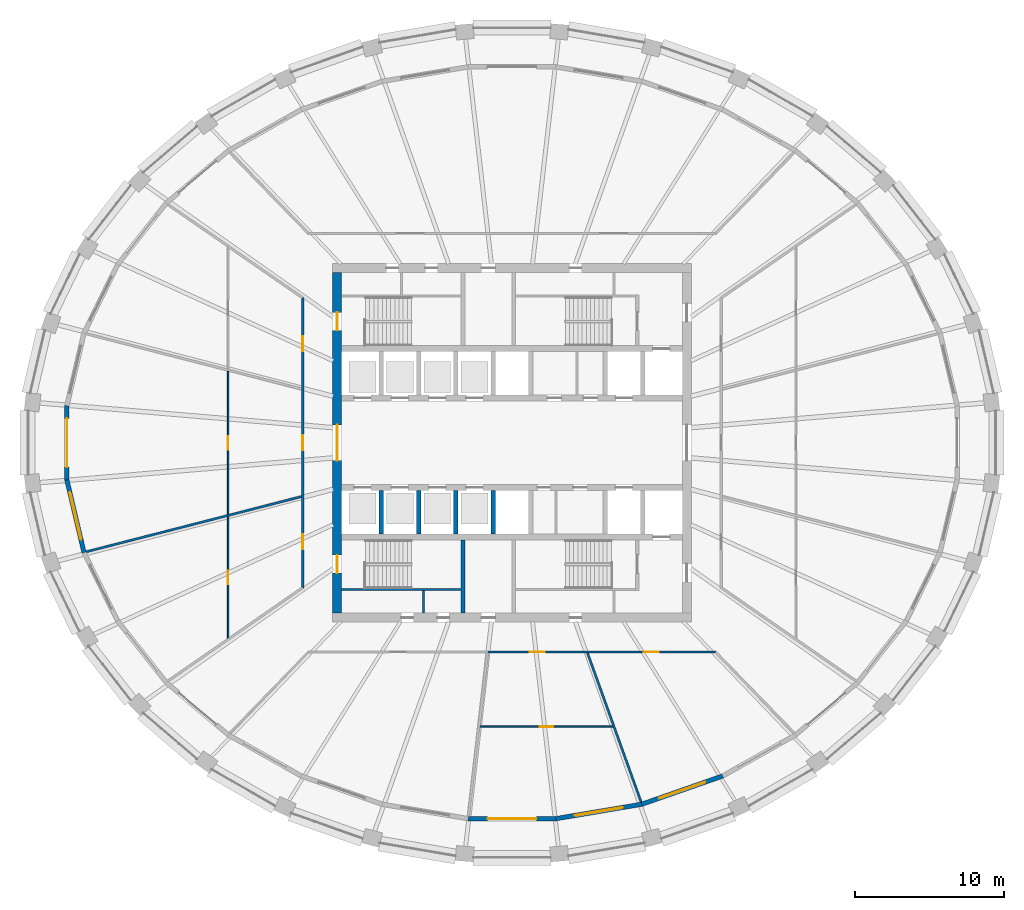
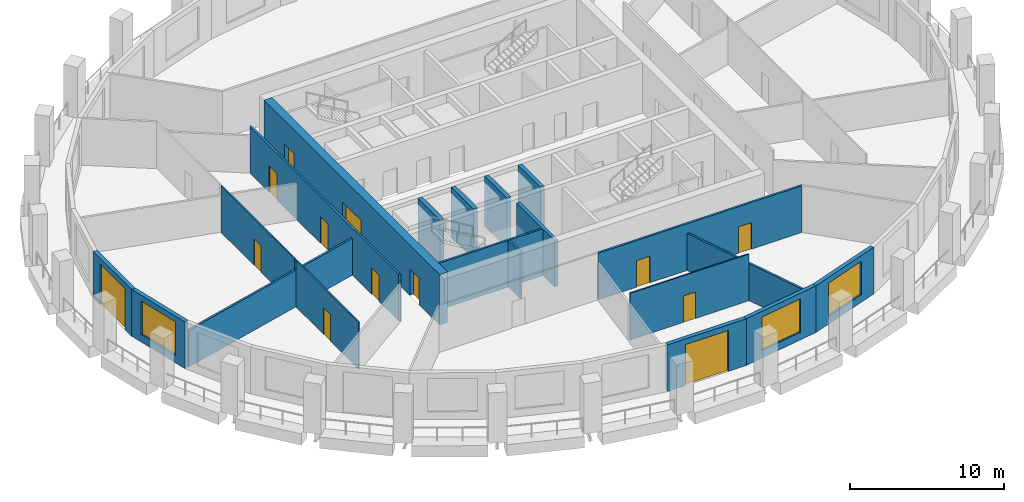
# One storey, part 3 of 10: 20 walls, 13 doors, 3 windows, 16 openings.
"""IFC4 building model written with IfcOpenShell, lengths in metres."""

from ifc_helpers import new_model, si_unit, direction, frame, frame_2d, origin, place, context, subcontext, project, spatial, polyline, rectangle, outline, extrude, material, layer, layer_set, type_object, element, fill, save


model = new_model("IFC4")

# Units and contexts
model_context = context("Model", 3, precision=1e-05, world=origin(), true_north=direction((0.0, 1.0)))
body_context = subcontext(model_context, "Body", "Model", "MODEL_VIEW")
ifc_project = project(units=[si_unit("LENGTHUNIT", "METRE"), si_unit("AREAUNIT", "SQUARE_METRE"), si_unit("VOLUMEUNIT", "CUBIC_METRE"), si_unit("PLANEANGLEUNIT", "RADIAN"), si_unit("MASSUNIT", "GRAM", prefix="KILO")], contexts=[model_context])

# Site, building, storey
site_placement = place(None, origin())
site = spatial("IfcSite", under=ifc_project, at=site_placement, CompositionType="ELEMENT")
building_placement = place(site_placement, origin())
building = spatial("IfcBuilding", under=site, at=building_placement, Name="Halqa Exchange Tower", CompositionType="ELEMENT")
storey_placement = place(building_placement, frame((0.0, 0.0, 198.89990234375)))
storey = spatial("IfcBuildingStorey", under=building, at=storey_placement, Name="L45", CompositionType="ELEMENT", Elevation=198.89990234375)

# Wall
ifc_material_1 = material(Name="Fire-rated gypsum board")
ifc_layer_1 = layer(ifc_material_1, 0.14990234375)
ifc_layer_set_1 = layer_set([ifc_layer_1], Name="Fire-rated gypsum board")
wall_type_1 = type_object("IfcWallType", Name="Fire partition EI 60 150", PredefinedType="PARTITIONING", material=ifc_layer_set_1)
wall_1_placement = place(storey_placement, frame((-28.494384765625, -7.294189453125, 0.0), z_axis=(0.0, 0.0, 1.0), x_axis=(0.96870063855, 0.248231893342, 0.0)))
element("IfcWall", 1, at=wall_1_placement, inside=storey, type_object=wall_type_1, Name="L45-PWL-001", PredefinedType="PARTITIONING", context=body_context, shape_type="SweptSolid", body=[
    extrude(outline(polyline([(0.013916015625, -0.074951171875), (1.957275390625, -0.074951171875), (3.900634765625, -0.074951171875), (5.84375, -0.074951171875), (7.787109375, -0.074951171875), (9.730224609375, -0.074951171875), (9.730712890625, -0.073486328125), (9.736083984375, -0.074951171875), (11.446044921875, -0.074951171875), (13.156005859375, -0.074951171875), (14.865966796875, -0.074951171875), (14.904296875, 0.07421875), (14.904296875, 0.074951171875), (13.226806640625, 0.074951171875), (11.54931640625, 0.074951171875), (9.8720703125, 0.074951171875), (9.87158203125, 0.073486328125), (9.8662109375, 0.074951171875), (7.892822265625, 0.074951171875), (5.919677734375, 0.074951171875), (3.946533203125, 0.074951171875), (1.97314453125, 0.074951171875), (0.0, 0.074951171875), (0.0, -0.0078125), (0.013916015625, -0.074951171875)])), origin(), (0.0, 0.0, 1.0), 2.900146484375),
])

# Wall, openings, doors
wall_2_placement = place(storey_placement, frame((-14.0, -9.729248046875, 0.0), z_axis=(0.0, 0.0, 1.0), x_axis=(0.0, 1.0, 0.0)))
wall_2 = element("IfcWall", 2, at=wall_2_placement, inside=storey, type_object=wall_type_1, Name="L45-PWL-011", PredefinedType="PARTITIONING", context=body_context, shape_type="SweptSolid", body=[
    extrude(outline(polyline([(19.45849609375, -0.074951171875), (19.45849609375, -0.074951171875), (19.3798828125, 0.074951171875), (17.44970703125, 0.074951171875), (15.519775390625, 0.074951171875), (13.589599609375, 0.074951171875), (11.659423828125, 0.074951171875), (9.729248046875, 0.074951171875), (7.799072265625, 0.074951171875), (5.868896484375, 0.074951171875), (3.938720703125, 0.074951171875), (2.008544921875, 0.074951171875), (0.07861328125, 0.074951171875), (0.0, -0.074951171875), (0.0, -0.074951171875), (1.94580078125, -0.074951171875), (3.8916015625, -0.074951171875), (5.837646484375, -0.074951171875), (7.783447265625, -0.074951171875), (9.729248046875, -0.074951171875), (11.675048828125, -0.074951171875), (13.620849609375, -0.074951171875), (15.56689453125, -0.074951171875), (17.5126953125, -0.074951171875), (19.45849609375, -0.074951171875)])), origin(), (0.0, 0.0, 1.0), 3.7001953125),
])
opening_1_placement = place(wall_2_placement, frame((15.8642578125, 0.0, 0.0)))
opening_1 = element("IfcOpeningElement", 3, at=opening_1_placement, cuts=wall_2, Name="Opening 13-03", PredefinedType="OPENING", context=body_context, shape_type="SweptSolid", body=[
    extrude(rectangle(XDim=1.0, YDim=2.10009765625, at=frame_2d((0.5, 1.050048828125))), frame((0.0, 0.0869140625, 0.0), z_axis=(0.0, -1.0, 0.0), x_axis=(1.0, 0.0, 0.0)), (0.0, 0.0, 1.0), 0.173828125),
])
opening_2_placement = place(wall_2_placement, frame((9.229248046875, 0.0, 0.0)))
opening_2 = element("IfcOpeningElement", 4, at=opening_2_placement, cuts=wall_2, Name="Opening 13-04", PredefinedType="OPENING", context=body_context, shape_type="SweptSolid", body=[
    extrude(rectangle(XDim=1.0, YDim=2.10009765625, at=frame_2d((0.5, 1.050048828125))), frame((0.0, 0.0869140625, 0.0), z_axis=(0.0, -1.0, 0.0), x_axis=(1.0, 0.0, 0.0)), (0.0, 0.0, 1.0), 0.173828125),
])
opening_3_placement = place(wall_2_placement, frame((2.59423828125, 0.0, 0.0)))
opening_3 = element("IfcOpeningElement", 5, at=opening_3_placement, cuts=wall_2, Name="Opening 13-05", PredefinedType="OPENING", context=body_context, shape_type="SweptSolid", body=[
    extrude(rectangle(XDim=1.0, YDim=2.10009765625, at=frame_2d((0.5, 1.050048828125))), frame((0.0, 0.0869140625, 0.0), z_axis=(0.0, -1.0, 0.0), x_axis=(1.0, 0.0, 0.0)), (0.0, 0.0, 1.0), 0.173828125),
])
ifc_material_2 = material(Name="Steel fire door leaf", Category="steel")
door_type_1 = type_object("IfcDoorType", Name="Fire door FD30S 1000 x 2100", OperationType="SINGLE_SWING_LEFT", PredefinedType="DOOR", material=ifc_material_2)
door_1_placement = place(opening_1_placement, origin())
door_1 = element("IfcDoor", 6, at=door_1_placement, inside=storey, type_object=door_type_1, Name="L45-IDR-003", OperationType="SINGLE_SWING_RIGHT", OverallHeight=2.10009765625, OverallWidth=1.0, PredefinedType="DOOR", context=body_context, shape_type="SweptSolid", body=[
    extrude(rectangle(XDim=1.0, YDim=2.10009765625, at=frame_2d((0.5, 1.050048828125))), frame((0.0, 0.02490234375, 0.0), z_axis=(0.0, -1.0, 0.0), x_axis=(1.0, 0.0, 0.0)), (0.0, 0.0, 1.0), 0.050048828125),
])
fill(opening_1, door_1)
door_2_placement = place(opening_2_placement, origin())
door_2 = element("IfcDoor", 7, at=door_2_placement, inside=storey, type_object=door_type_1, Name="L45-IDR-004", OperationType="SINGLE_SWING_LEFT", OverallHeight=2.10009765625, OverallWidth=1.0, PredefinedType="DOOR", context=body_context, shape_type="SweptSolid", body=[
    extrude(rectangle(XDim=1.0, YDim=2.10009765625, at=frame_2d((0.5, 1.050048828125))), frame((0.0, 0.02490234375, 0.0), z_axis=(0.0, -1.0, 0.0), x_axis=(1.0, 0.0, 0.0)), (0.0, 0.0, 1.0), 0.050048828125),
])
fill(opening_2, door_2)
door_3_placement = place(opening_3_placement, origin())
door_3 = element("IfcDoor", 8, at=door_3_placement, inside=storey, type_object=door_type_1, Name="L45-IDR-005", OperationType="SINGLE_SWING_LEFT", OverallHeight=2.10009765625, OverallWidth=1.0, PredefinedType="DOOR", context=body_context, shape_type="SweptSolid", body=[
    extrude(rectangle(XDim=1.0, YDim=2.10009765625, at=frame_2d((0.5, 1.050048828125))), frame((0.0, 0.02490234375, 0.0), z_axis=(0.0, -1.0, 0.0), x_axis=(1.0, 0.0, 0.0)), (0.0, 0.0, 1.0), 0.050048828125),
])
fill(opening_3, door_3)

wall_3_placement = place(storey_placement, frame((-1.6298828125, -14.0, 0.0), z_axis=(0.0, 0.0, 1.0), x_axis=(1.0, 0.0, 0.0)))
wall_3 = element("IfcWall", 9, at=wall_3_placement, inside=storey, type_object=wall_type_1, Name="L45-PWL-016", PredefinedType="PARTITIONING", context=body_context, shape_type="SweptSolid", body=[
    extrude(outline(polyline([(0.0, -0.074951171875), (1.90234375, -0.074951171875), (3.804443359375, -0.074951171875), (5.706787109375, -0.074951171875), (7.609130859375, -0.074951171875), (9.511474609375, -0.074951171875), (11.41357421875, -0.074951171875), (13.31591796875, -0.074951171875), (15.21826171875, -0.074951171875), (15.281494140625, 0.07470703125), (15.281494140625, 0.074951171875), (13.371337890625, 0.074951171875), (11.461181640625, 0.074951171875), (9.551025390625, 0.074951171875), (7.640625, 0.074951171875), (5.73046875, 0.074951171875), (3.8203125, 0.074951171875), (1.91015625, 0.074951171875), (0.0, 0.074951171875), (0.0, -0.074951171875)])), origin(), (0.0, 0.0, 1.0), 3.7001953125),
])
opening_4_placement = place(wall_3_placement, frame((2.830078125, 0.0, 0.0)))
opening_4 = element("IfcOpeningElement", 10, at=opening_4_placement, cuts=wall_3, Name="Opening 13-07", PredefinedType="OPENING", context=body_context, shape_type="SweptSolid", body=[
    extrude(rectangle(XDim=1.0, YDim=2.10009765625, at=frame_2d((0.5, 1.050048828125))), frame((0.0, 0.0869140625, 0.0), z_axis=(0.0, -1.0, 0.0), x_axis=(1.0, 0.0, 0.0)), (0.0, 0.0, 1.0), 0.173828125),
])
opening_5_placement = place(wall_3_placement, frame((10.455078125, 0.0, 0.0)))
opening_5 = element("IfcOpeningElement", 11, at=opening_5_placement, cuts=wall_3, Name="Opening 13-08", PredefinedType="OPENING", context=body_context, shape_type="SweptSolid", body=[
    extrude(rectangle(XDim=1.0, YDim=2.10009765625, at=frame_2d((0.5, 1.050048828125))), frame((0.0, 0.0869140625, 0.0), z_axis=(0.0, -1.0, 0.0), x_axis=(1.0, 0.0, 0.0)), (0.0, 0.0, 1.0), 0.173828125),
])
door_4_placement = place(opening_4_placement, frame((1.0, 0.0, 0.0), z_axis=(0.0, 0.0, 1.0), x_axis=(-1.0, 0.0, 0.0)))
door_4 = element("IfcDoor", 12, at=door_4_placement, inside=storey, type_object=door_type_1, Name="L45-IDR-007", OperationType="SINGLE_SWING_RIGHT", OverallHeight=2.10009765625, OverallWidth=1.0, PredefinedType="DOOR", context=body_context, shape_type="SweptSolid", body=[
    extrude(rectangle(XDim=1.0, YDim=2.10009765625, at=frame_2d((0.5, 1.050048828125))), frame((0.0, 0.02490234375, 0.0), z_axis=(0.0, -1.0, 0.0), x_axis=(1.0, 0.0, 0.0)), (0.0, 0.0, 1.0), 0.050048828125),
])
fill(opening_4, door_4)
door_5_placement = place(opening_5_placement, frame((1.0, 0.0, 0.0), z_axis=(0.0, 0.0, 1.0), x_axis=(-1.0, 0.0, 0.0)))
door_5 = element("IfcDoor", 13, at=door_5_placement, inside=storey, type_object=door_type_1, Name="L45-IDR-008", OperationType="SINGLE_SWING_LEFT", OverallHeight=2.10009765625, OverallWidth=1.0, PredefinedType="DOOR", context=body_context, shape_type="SweptSolid", body=[
    extrude(rectangle(XDim=1.0, YDim=2.10009765625, at=frame_2d((0.5, 1.050048828125))), frame((0.0, 0.02490234375, 0.0), z_axis=(0.0, -1.0, 0.0), x_axis=(1.0, 0.0, 0.0)), (0.0, 0.0, 1.0), 0.050048828125),
])
fill(opening_5, door_5)

# Wall
wall_4_placement = place(storey_placement, frame((5.0478515625, -14.0498046875, 0.0), z_axis=(0.0, 0.0, 1.0), x_axis=(0.338318960249, -0.941031498482, 0.0)))
element("IfcWall", 14, at=wall_4_placement, inside=storey, type_object=wall_type_1, Name="L45-PWL-017", PredefinedType="PARTITIONING", context=body_context, shape_type="SweptSolid", body=[
    extrude(outline(polyline([(0.0, -0.074951171875), (1.726806640625, -0.074951171875), (3.45361328125, -0.074951171875), (5.180419921875, -0.074951171875), (5.18115234375, -0.072509765625), (5.18798828125, -0.074951171875), (6.994140625, -0.074951171875), (8.80029296875, -0.074951171875), (10.6064453125, -0.074951171875), (10.62060546875, 0.003662109375), (10.620849609375, 0.032470703125), (10.620849609375, 0.074951171875), (8.859619140625, 0.074951171875), (7.098388671875, 0.074951171875), (5.33740234375, 0.074951171875), (3.576171875, 0.074951171875), (1.81494140625, 0.074951171875), (0.0537109375, 0.074951171875), (0.0, -0.074462890625), (0.0, -0.074951171875)])), origin(), (0.0, 0.0, 1.0), 2.947021484375),
])

# Wall, opening, door
ifc_material_3 = material(Name="Gypsum board")
ifc_layer_2 = layer(ifc_material_3, 0.10009765625)
ifc_layer_set_2 = layer_set([ifc_layer_2], Name="Gypsum board")
wall_type_2 = type_object("IfcWallType", Name="Partition 100 gypsum", PredefinedType="PARTITIONING", material=ifc_layer_set_2)
wall_5_placement = place(storey_placement, frame((-19.0, -13.095458984375, 0.0), z_axis=(0.0, 0.0, 1.0), x_axis=(0.0, 1.0, 0.0)))
wall_5 = element("IfcWall", 15, at=wall_5_placement, inside=storey, type_object=wall_type_2, Name="L45-PWL-005", PredefinedType="PARTITIONING", context=body_context, shape_type="SweptSolid", body=[
    extrude(outline(polyline([(8.16943359375, -0.050048828125), (8.16943359375, -0.04931640625), (8.14404296875, 0.050048828125), (6.51513671875, 0.050048828125), (4.886474609375, 0.050048828125), (3.257568359375, 0.050048828125), (1.62890625, 0.050048828125), (0.0, 0.050048828125), (0.0, 0.049072265625), (0.068603515625, -0.050048828125), (1.688720703125, -0.050048828125), (3.30908203125, -0.050048828125), (4.92919921875, -0.050048828125), (6.54931640625, -0.050048828125), (8.16943359375, -0.050048828125)])), origin(), (0.0, 0.0, 1.0), 3.7001953125),
])
opening_6_placement = place(wall_5_placement, frame((3.640380859375, 0.0, 0.0)))
opening_6 = element("IfcOpeningElement", 16, at=opening_6_placement, cuts=wall_5, Name="Opening 13-14", PredefinedType="OPENING", context=body_context, shape_type="SweptSolid", body=[
    extrude(rectangle(XDim=0.89990234375, YDim=2.10009765625, at=frame_2d((0.449951171875, 1.050048828125))), frame((0.0, 0.06201171875, 0.0), z_axis=(0.0, -1.0, 0.0), x_axis=(1.0, 0.0, 0.0)), (0.0, 0.0, 1.0), 0.1240234375),
])
ifc_material_4 = material(Name="Timber door leaf", Category="wood")
door_type_2 = type_object("IfcDoorType", Name="Door 900 x 2100", OperationType="SINGLE_SWING_LEFT", PredefinedType="DOOR", material=ifc_material_4)
door_6_placement = place(opening_6_placement, frame((0.89990234375, 0.0, 0.0), z_axis=(0.0, 0.0, 1.0), x_axis=(-1.0, 0.0, 0.0)))
door_6 = element("IfcDoor", 17, at=door_6_placement, inside=storey, type_object=door_type_2, Name="L45-IDR-014", OperationType="SINGLE_SWING_LEFT", OverallHeight=2.10009765625, OverallWidth=0.89990234375, PredefinedType="DOOR", context=body_context, shape_type="SweptSolid", body=[
    extrude(rectangle(XDim=0.89990234375, YDim=2.10009765625, at=frame_2d((0.449951171875, 1.050048828125))), frame((0.0, 0.02490234375, 0.0), z_axis=(0.0, -1.0, 0.0), x_axis=(1.0, 0.0, 0.0)), (0.0, 0.0, 1.0), 0.050048828125),
])
fill(opening_6, door_6)

wall_6_placement = place(storey_placement, frame((-19.0, -4.79638671875, 0.0), z_axis=(0.0, 0.0, 1.0), x_axis=(0.0, 1.0, 0.0)))
wall_6 = element("IfcWall", 18, at=wall_6_placement, inside=storey, type_object=wall_type_2, Name="L45-PWL-006", PredefinedType="PARTITIONING", context=body_context, shape_type="SweptSolid", body=[
    extrude(outline(polyline([(0.025390625, -0.050048828125), (1.933837890625, -0.050048828125), (3.84228515625, -0.050048828125), (5.75048828125, -0.050048828125), (7.658935546875, -0.050048828125), (9.5673828125, -0.050048828125), (9.5927734375, 0.049072265625), (9.5927734375, 0.050048828125), (7.67431640625, 0.050048828125), (5.755615234375, 0.050048828125), (3.837158203125, 0.050048828125), (1.91845703125, 0.050048828125), (0.0, 0.050048828125), (0.0, 0.049072265625), (0.025390625, -0.050048828125)])), origin(), (0.0, 0.0, 1.0), 3.7001953125),
])
opening_7_placement = place(wall_6_placement, frame((4.346435546875, 0.0, 0.0)))
opening_7 = element("IfcOpeningElement", 19, at=opening_7_placement, cuts=wall_6, Name="Opening 13-13", PredefinedType="OPENING", context=body_context, shape_type="SweptSolid", body=[
    extrude(rectangle(XDim=0.89990234375, YDim=2.10009765625, at=frame_2d((0.449951171875, 1.050048828125))), frame((0.0, 0.06201171875, 0.0), z_axis=(0.0, -1.0, 0.0), x_axis=(1.0, 0.0, 0.0)), (0.0, 0.0, 1.0), 0.1240234375),
])
door_7_placement = place(opening_7_placement, frame((0.89990234375, 0.0, 0.0), z_axis=(0.0, 0.0, 1.0), x_axis=(-1.0, 0.0, 0.0)))
door_7 = element("IfcDoor", 20, at=door_7_placement, inside=storey, type_object=door_type_2, Name="L45-IDR-013", OperationType="SINGLE_SWING_RIGHT", OverallHeight=2.10009765625, OverallWidth=0.89990234375, PredefinedType="DOOR", context=body_context, shape_type="SweptSolid", body=[
    extrude(rectangle(XDim=0.89990234375, YDim=2.10009765625, at=frame_2d((0.449951171875, 1.050048828125))), frame((0.0, 0.02490234375, 0.0), z_axis=(0.0, -1.0, 0.0), x_axis=(1.0, 0.0, 0.0)), (0.0, 0.0, 1.0), 0.050048828125),
])
fill(opening_7, door_7)

wall_7_placement = place(storey_placement, frame((6.765380859375, -19.0, 0.0), z_axis=(0.0, 0.0, 1.0), x_axis=(-1.0, 0.0, 0.0)))
wall_7 = element("IfcWall", 21, at=wall_7_placement, inside=storey, type_object=wall_type_2, Name="L45-PWL-018", PredefinedType="PARTITIONING", context=body_context, shape_type="SweptSolid", body=[
    extrude(outline(polyline([(0.035400390625, -0.050048828125), (1.80712890625, -0.050048828125), (3.578857421875, -0.050048828125), (5.3505859375, -0.050048828125), (7.122314453125, -0.050048828125), (8.89404296875, -0.050048828125), (8.9052734375, 0.046142578125), (8.9052734375, 0.050048828125), (7.124267578125, 0.050048828125), (5.34326171875, 0.050048828125), (3.56201171875, 0.050048828125), (1.781005859375, 0.050048828125), (0.0, 0.050048828125), (0.0, 0.048828125), (0.035400390625, -0.050048828125)])), origin(), (0.0, 0.0, 1.0), 3.7001953125),
])
opening_8_placement = place(wall_7_placement, frame((4.005615234375, 0.0, 0.0)))
opening_8 = element("IfcOpeningElement", 22, at=opening_8_placement, cuts=wall_7, Name="Opening 13-15", PredefinedType="OPENING", context=body_context, shape_type="SweptSolid", body=[
    extrude(rectangle(XDim=0.89990234375, YDim=2.10009765625, at=frame_2d((0.449951171875, 1.050048828125))), frame((0.0, 0.06201171875, 0.0), z_axis=(0.0, -1.0, 0.0), x_axis=(1.0, 0.0, 0.0)), (0.0, 0.0, 1.0), 0.1240234375),
])
door_8_placement = place(opening_8_placement, frame((0.89990234375, 0.0, 0.0), z_axis=(0.0, 0.0, 1.0), x_axis=(-1.0, 0.0, 0.0)))
door_8 = element("IfcDoor", 23, at=door_8_placement, inside=storey, type_object=door_type_2, Name="L45-IDR-015", OperationType="SINGLE_SWING_LEFT", OverallHeight=2.10009765625, OverallWidth=0.89990234375, PredefinedType="DOOR", context=body_context, shape_type="SweptSolid", body=[
    extrude(rectangle(XDim=0.89990234375, YDim=2.10009765625, at=frame_2d((0.449951171875, 1.050048828125))), frame((0.0, 0.02490234375, 0.0), z_axis=(0.0, -1.0, 0.0), x_axis=(1.0, 0.0, 0.0)), (0.0, 0.0, 1.0), 0.050048828125),
])
fill(opening_8, door_8)

# Walls
ifc_layer_3 = layer(ifc_material_3, 0.14990234375)
ifc_layer_set_3 = layer_set([ifc_layer_3], Name="Gypsum board")
wall_type_3 = type_object("IfcWallType", Name="Penthouse riser wall 150 gypsum", PredefinedType="PARTITIONING", material=ifc_layer_set_3)
wall_8_placement = place(storey_placement, frame((-5.925048828125, -11.39990234375, 0.0), z_axis=(0.0, 0.0, 1.0), x_axis=(0.0, 1.0, 0.0)))
element("IfcWall", 24, at=wall_8_placement, inside=storey, type_object=wall_type_3, Name="Partition W5.925 S", PredefinedType="PARTITIONING", context=body_context, shape_type="SweptSolid", body=[
    extrude(rectangle(XDim=1.5, YDim=0.14990234375, at=frame_2d((0.75, 0.0))), origin(), (0.0, 0.0, 1.0), 3.7001953125),
])
ifc_material_5 = material(Name="Concrete C60/75", Category="concrete")
ifc_layer_4 = layer(ifc_material_5, 0.300048828125)
ifc_layer_set_4 = layer_set([ifc_layer_4], Name="Concrete C60/75")
wall_type_4 = type_object("IfcWallType", Name="RC core wall 300", PredefinedType="SHEAR", material=ifc_layer_set_4)
for number, where, z_axis, x_axis, name in (
    (25, (-8.75, -6.10009765625, 0.0), (0.0, 0.0, 1.0), (0.0, 1.0, 0.0), "Shaft divider S1"),
    (26, (-6.25, -6.10009765625, 0.0), (0.0, 0.0, 1.0), (0.0, 1.0, 0.0), "Shaft divider S2"),
    (27, (-3.75, -6.10009765625, 0.0), (0.0, 0.0, 1.0), (0.0, 1.0, 0.0), "Shaft divider S3"),
    (28, (-1.25, -6.10009765625, 0.0), (0.0, 0.0, 1.0), (0.0, 1.0, 0.0), "Shaft divider S4"),
):
    element("IfcWall", number, at=place(storey_placement, frame(where, z_axis=z_axis, x_axis=x_axis)), inside=storey, type_object=wall_type_4, Name=name, PredefinedType="SHEAR", context=body_context, shape_type="SweptSolid", body=[
        extrude(rectangle(XDim=2.900146484375, YDim=0.300048828125, at=frame_2d((1.4501953125, 0.0))), origin(), (0.0, 0.0, 1.0), 4.0),
    ])

# Wall, openings, doors
ifc_material_6 = material(Name="Concrete C70/85", Category="concrete")
ifc_layer_5 = layer(ifc_material_6, 0.60009765625)
ifc_layer_set_5 = layer_set([ifc_layer_5], Name="Concrete C70/85")
wall_type_5 = type_object("IfcWallType", Name="RC core wall 600 C70/85", PredefinedType="SHEAR", material=ifc_layer_set_5)
wall_9_placement = place(storey_placement, frame((-11.699951171875, -11.39990234375, 0.0), z_axis=(0.0, 0.0, 1.0), x_axis=(0.0, 1.0, 0.0)))
wall_9 = element("IfcWall", 29, at=wall_9_placement, inside=storey, type_object=wall_type_5, Name="Core wall west", PredefinedType="SHEAR", context=body_context, shape_type="SweptSolid", body=[
    extrude(rectangle(XDim=22.7998046875, YDim=0.60009765625, at=frame_2d((11.39990234375, 0.0))), origin(), (0.0, 0.0, 1.0), 4.0),
])
opening_9_placement = place(wall_9_placement, frame((10.199951171875, 0.0, 0.0)))
opening_9 = element("IfcOpeningElement", 30, at=opening_9_placement, cuts=wall_9, Name="Opening T13-C13", PredefinedType="OPENING", context=body_context, shape_type="SweptSolid", body=[
    extrude(rectangle(XDim=2.39990234375, YDim=2.10009765625, at=frame_2d((1.199951171875, 1.050048828125))), frame((0.0, 0.31201171875, 0.0), z_axis=(0.0, -1.0, 0.0), x_axis=(1.0, 0.0, 0.0)), (0.0, 0.0, 1.0), 0.6240234375),
])
opening_10_placement = place(wall_9_placement, frame((18.925048828125, 0.0, 0.0)))
opening_10 = element("IfcOpeningElement", 31, at=opening_10_placement, cuts=wall_9, Name="Opening T13-C15", PredefinedType="OPENING", context=body_context, shape_type="SweptSolid", body=[
    extrude(rectangle(XDim=1.199951171875, YDim=2.10009765625, at=frame_2d((0.60009765625, 1.050048828125))), frame((0.0, 0.31201171875, 0.0), z_axis=(0.0, -1.0, 0.0), x_axis=(1.0, 0.0, 0.0)), (0.0, 0.0, 1.0), 0.6240234375),
])
opening_11_placement = place(wall_9_placement, frame((2.675048828125, 0.0, 0.0)))
opening_11 = element("IfcOpeningElement", 32, at=opening_11_placement, cuts=wall_9, Name="Opening T13-C17", PredefinedType="OPENING", context=body_context, shape_type="SweptSolid", body=[
    extrude(rectangle(XDim=1.199951171875, YDim=2.10009765625, at=frame_2d((0.60009765625, 1.050048828125))), frame((0.0, 0.31201171875, 0.0), z_axis=(0.0, -1.0, 0.0), x_axis=(1.0, 0.0, 0.0)), (0.0, 0.0, 1.0), 0.6240234375),
])
door_type_3 = type_object("IfcDoorType", Name="Lobby double door FD60 2400 x 2100", OperationType="DOUBLE_DOOR_SINGLE_SWING", PredefinedType="DOOR", material=ifc_material_2)
door_9_placement = place(opening_9_placement, frame((2.39990234375, 0.0, 0.0), z_axis=(0.0, 0.0, 1.0), x_axis=(-1.0, 0.0, 0.0)))
door_9 = element("IfcDoor", 33, at=door_9_placement, inside=storey, type_object=door_type_3, Name="Lift lobby double door", OperationType="DOUBLE_DOOR_SINGLE_SWING", OverallHeight=2.10009765625, OverallWidth=2.39990234375, PredefinedType="DOOR", context=body_context, shape_type="SweptSolid", body=[
    extrude(rectangle(XDim=2.39990234375, YDim=2.10009765625, at=frame_2d((1.199951171875, 1.050048828125))), frame((0.0, 0.02490234375, 0.0), z_axis=(0.0, -1.0, 0.0), x_axis=(1.0, 0.0, 0.0)), (0.0, 0.0, 1.0), 0.050048828125),
])
fill(opening_9, door_9)
door_type_4 = type_object("IfcDoorType", Name="Stair door FD90 1200 x 2100", OperationType="SINGLE_SWING_LEFT", PredefinedType="DOOR", material=ifc_material_2)
door_10_placement = place(opening_10_placement, frame((1.199951171875, 0.0, 0.0), z_axis=(0.0, 0.0, 1.0), x_axis=(-1.0, 0.0, 0.0)))
door_10 = element("IfcDoor", 34, at=door_10_placement, inside=storey, type_object=door_type_4, Name="Stair door ST1", OperationType="SINGLE_SWING_RIGHT", OverallHeight=2.10009765625, OverallWidth=1.199951171875, PredefinedType="DOOR", context=body_context, shape_type="SweptSolid", body=[
    extrude(rectangle(XDim=1.199951171875, YDim=2.10009765625, at=frame_2d((0.60009765625, 1.050048828125))), frame((0.0, 0.02490234375, 0.0), z_axis=(0.0, -1.0, 0.0), x_axis=(1.0, 0.0, 0.0)), (0.0, 0.0, 1.0), 0.050048828125),
])
fill(opening_10, door_10)
door_11_placement = place(opening_11_placement, frame((1.199951171875, 0.0, 0.0), z_axis=(0.0, 0.0, 1.0), x_axis=(-1.0, 0.0, 0.0)))
door_11 = element("IfcDoor", 35, at=door_11_placement, inside=storey, type_object=door_type_4, Name="Stair door ST3", OperationType="SINGLE_SWING_RIGHT", OverallHeight=2.10009765625, OverallWidth=1.199951171875, PredefinedType="DOOR", context=body_context, shape_type="SweptSolid", body=[
    extrude(rectangle(XDim=1.199951171875, YDim=2.10009765625, at=frame_2d((0.60009765625, 1.050048828125))), frame((0.0, 0.02490234375, 0.0), z_axis=(0.0, -1.0, 0.0), x_axis=(1.0, 0.0, 0.0)), (0.0, 0.0, 1.0), 0.050048828125),
])
fill(opening_11, door_11)

# Walls
ifc_material_7 = material(Name="Concrete C30/37", Category="concrete")
ifc_layer_6 = layer(ifc_material_7, 0.14990234375)
ifc_layer_set_6 = layer_set([ifc_layer_6], Name="Concrete C30/37")
wall_type_6 = type_object("IfcWallType", Name="RC stair wall 150 C30/37", PredefinedType="SHEAR", material=ifc_layer_set_6)
wall_10_placement = place(storey_placement, frame((-11.39990234375, -9.824951171875, 0.0), z_axis=(0.0, 0.0, 1.0), x_axis=(1.0, 0.0, 0.0)))
element("IfcWall", 36, at=wall_10_placement, inside=storey, type_object=wall_type_6, Name="Stair ST1 north wall S", PredefinedType="SHEAR", context=body_context, shape_type="SweptSolid", body=[
    extrude(rectangle(XDim=8.0, YDim=0.14990234375, at=frame_2d((4.0, 0.0))), origin(), (0.0, 0.0, 1.0), 3.7001953125),
])
ifc_layer_7 = layer(ifc_material_7, 0.25)
ifc_layer_set_7 = layer_set([ifc_layer_7], Name="Concrete C30/37")
wall_type_7 = type_object("IfcWallType", Name="RC stair wall 250 C30/37", PredefinedType="SHEAR", material=ifc_layer_set_7)
wall_11_placement = place(storey_placement, frame((-3.27490234375, -11.39990234375, 0.0), z_axis=(0.0, 0.0, 1.0), x_axis=(0.0, 1.0, 0.0)))
element("IfcWall", 37, at=wall_11_placement, inside=storey, type_object=wall_type_7, Name="Stair ST1 east wall S", PredefinedType="SHEAR", context=body_context, shape_type="SweptSolid", body=[
    extrude(rectangle(XDim=4.89990234375, YDim=0.25, at=frame_2d((2.449951171875, 0.0))), origin(), (0.0, 0.0, 1.0), 3.7001953125),
])

# Wall, opening, door
ifc_material_8 = material(Name="Limestone cladding", Category="masonry")
ifc_layer_8 = layer(ifc_material_8, 0.0400390625)
ifc_material_9 = material(Name="Ventilated cavity")
ifc_layer_9 = layer(ifc_material_9, 0.030029296875, ventilated=True)
ifc_material_10 = material(Name="Mineral wool insulation")
ifc_layer_10 = layer(ifc_material_10, 0.10009765625)
ifc_layer_11 = layer(ifc_material_7, 0.10009765625)
ifc_material_11 = material(Name="Internal plaster")
ifc_layer_12 = layer(ifc_material_11, 0.030029296875)
ifc_layer_set_8 = layer_set([ifc_layer_8, ifc_layer_9, ifc_layer_10, ifc_layer_11, ifc_layer_12], Name="Stone-faced insulated wall 300")
wall_type_8 = type_object("IfcWallType", Name="Stone-faced insulated wall 300", PredefinedType="STANDARD", material=ifc_layer_set_8)
wall_12_placement = place(storey_placement, frame((-29.785400390625, 2.47998046875, 0.0), z_axis=(0.0, 0.0, 1.0), x_axis=(0.0, -1.0, 0.0)))
wall_12 = element("IfcWall", 38, at=wall_12_placement, inside=storey, type_object=wall_type_8, Name="Glass-line wall 16", PredefinedType="STANDARD", context=body_context, shape_type="SweptSolid", body=[
    extrude(outline(polyline([(-0.017333984375, -0.14990234375), (4.977294921875, -0.14990234375), (4.942626953125, 0.14990234375), (0.017333984375, 0.14990234375), (-0.017333984375, -0.14990234375)])), origin(), (0.0, 0.0, 1.0), 3.7001953125),
])
opening_12_placement = place(wall_12_placement, frame((0.85498046875, 0.0, 0.0)))
opening_12 = element("IfcOpeningElement", 39, at=opening_12_placement, cuts=wall_12, Name="Opening LG-F3-04", PredefinedType="OPENING", context=body_context, shape_type="SweptSolid", body=[
    extrude(rectangle(XDim=3.25, YDim=3.25, at=frame_2d((1.625, 1.625))), frame((0.0, 0.162109375, 0.0), z_axis=(0.0, -1.0, 0.0), x_axis=(1.0, 0.0, 0.0)), (0.0, 0.0, 1.0), 0.323974609375),
])
ifc_material_12 = material(Name="Clear low-emissivity glass in aluminium frame", Category="aluminium")
door_type_5 = type_object("IfcDoorType", Name="Glazed sliding loggia door 3250 x 3250", OperationType="DOUBLE_DOOR_SLIDING", PredefinedType="DOOR", material=ifc_material_12)
door_12_placement = place(opening_12_placement, origin())
door_12 = element("IfcDoor", 40, at=door_12_placement, inside=storey, type_object=door_type_5, Name="Loggia door 4", OperationType="DOUBLE_DOOR_SLIDING", OverallHeight=3.25, OverallWidth=3.25, PredefinedType="DOOR", context=body_context, shape_type="SweptSolid", body=[
    extrude(rectangle(XDim=3.25, YDim=3.25, at=frame_2d((1.625, 1.625))), frame((0.0, 0.02490234375, 0.0), z_axis=(0.0, -1.0, 0.0), x_axis=(1.0, 0.0, 0.0)), (0.0, 0.0, 1.0), 0.050048828125),
])
fill(opening_12, door_12)

# Wall, opening, window
wall_13_placement = place(storey_placement, frame((-29.785400390625, -2.47998046875, 0.0), z_axis=(0.0, 0.0, 1.0), x_axis=(0.229455912692, -0.97331905567, 0.0)))
wall_13 = element("IfcWall", 41, at=wall_13_placement, inside=storey, type_object=wall_type_8, Name="Glass-line wall 17", PredefinedType="STANDARD", context=body_context, shape_type="SweptSolid", body=[
    extrude(outline(polyline([(-0.017333984375, -0.14990234375), (5.014404296875, -0.14990234375), (4.980712890625, 0.14990234375), (0.017333984375, 0.14990234375), (-0.017333984375, -0.14990234375)])), origin(), (0.0, 0.0, 1.0), 3.7001953125),
])
opening_13_placement = place(wall_13_placement, frame((0.873779296875, 0.0, 0.60009765625)))
opening_13 = element("IfcOpeningElement", 42, at=opening_13_placement, cuts=wall_13, Name="Opening W-F3-17", PredefinedType="OPENING", context=body_context, shape_type="SweptSolid", body=[
    extrude(rectangle(XDim=3.25, YDim=2.64990234375, at=frame_2d((1.625, 1.324951171875))), frame((0.0, 0.162109375, 0.0), z_axis=(0.0, -1.0, 0.0), x_axis=(1.0, 0.0, 0.0)), (0.0, 0.0, 1.0), 0.323974609375),
])
window_type = type_object("IfcWindowType", Name="Fixed clear glazed window 3250 x 2650", PartitioningType="TRIPLE_PANEL_VERTICAL", PredefinedType="WINDOW", material=ifc_material_12)
window_1_placement = place(opening_13_placement, origin())
window_1 = element("IfcWindow", 43, at=window_1_placement, inside=storey, type_object=window_type, Name="Window 3", OverallHeight=2.64990234375, OverallWidth=3.25, PartitioningType="TRIPLE_PANEL_VERTICAL", PredefinedType="WINDOW", context=body_context, shape_type="SweptSolid", body=[
    extrude(rectangle(XDim=3.25, YDim=2.64990234375, at=frame_2d((1.625, 1.324951171875))), frame((0.0, 0.030029296875, 0.0), z_axis=(0.0, -1.0, 0.0), x_axis=(1.0, 0.0, 0.0)), (0.0, 0.0, 1.0), 0.06005859375),
])
fill(opening_13, window_1)

# Wall, opening, door
wall_14_placement = place(storey_placement, frame((-2.931396484375, -25.15380859375, 0.0), z_axis=(0.0, 0.0, 1.0), x_axis=(1.0, 0.0, 0.0)))
wall_14 = element("IfcWall", 44, at=wall_14_placement, inside=storey, type_object=wall_type_8, Name="Glass-line wall 24", PredefinedType="STANDARD", context=body_context, shape_type="SweptSolid", body=[
    extrude(outline(polyline([(-0.012451171875, -0.14990234375), (5.875244140625, -0.14990234375), (5.850341796875, 0.14990234375), (0.012451171875, 0.14990234375), (-0.012451171875, -0.14990234375)])), origin(), (0.0, 0.0, 1.0), 3.7001953125),
])
opening_14_placement = place(wall_14_placement, frame((1.306396484375, 0.0, 0.0)))
opening_14 = element("IfcOpeningElement", 45, at=opening_14_placement, cuts=wall_14, Name="Opening LG-F3-06", PredefinedType="OPENING", context=body_context, shape_type="SweptSolid", body=[
    extrude(rectangle(XDim=3.25, YDim=3.25, at=frame_2d((1.625, 1.625))), frame((0.0, 0.162109375, 0.0), z_axis=(0.0, -1.0, 0.0), x_axis=(1.0, 0.0, 0.0)), (0.0, 0.0, 1.0), 0.323974609375),
])
door_13_placement = place(opening_14_placement, origin())
door_13 = element("IfcDoor", 46, at=door_13_placement, inside=storey, type_object=door_type_5, Name="Loggia door 6", OperationType="DOUBLE_DOOR_SLIDING", OverallHeight=3.25, OverallWidth=3.25, PredefinedType="DOOR", context=body_context, shape_type="SweptSolid", body=[
    extrude(rectangle(XDim=3.25, YDim=3.25, at=frame_2d((1.625, 1.625))), frame((0.0, 0.02490234375, 0.0), z_axis=(0.0, -1.0, 0.0), x_axis=(1.0, 0.0, 0.0)), (0.0, 0.0, 1.0), 0.050048828125),
])
fill(opening_14, door_13)

# Wall, opening, window
wall_15_placement = place(storey_placement, frame((2.931396484375, -25.15380859375, 0.0), z_axis=(0.0, 0.0, 1.0), x_axis=(0.986207709048, 0.165512400181, 0.0)))
wall_15 = element("IfcWall", 47, at=wall_15_placement, inside=storey, type_object=wall_type_8, Name="Glass-line wall 25", PredefinedType="STANDARD", context=body_context, shape_type="SweptSolid", body=[
    extrude(outline(polyline([(-0.012451171875, -0.14990234375), (5.843505859375, -0.14990234375), (5.818115234375, 0.14990234375), (0.012451171875, 0.14990234375), (-0.012451171875, -0.14990234375)])), origin(), (0.0, 0.0, 1.0), 3.7001953125),
])
opening_15_placement = place(wall_15_placement, frame((1.29052734375, 0.0, 0.60009765625)))
opening_15 = element("IfcOpeningElement", 48, at=opening_15_placement, cuts=wall_15, Name="Opening W-F3-25", PredefinedType="OPENING", context=body_context, shape_type="SweptSolid", body=[
    extrude(rectangle(XDim=3.25, YDim=2.64990234375, at=frame_2d((1.625, 1.324951171875))), frame((0.0, 0.162109375, 0.0), z_axis=(0.0, -1.0, 0.0), x_axis=(1.0, 0.0, 0.0)), (0.0, 0.0, 1.0), 0.323974609375),
])
window_2_placement = place(opening_15_placement, origin())
window_2 = element("IfcWindow", 49, at=window_2_placement, inside=storey, type_object=window_type, Name="Window 3", OverallHeight=2.64990234375, OverallWidth=3.25, PartitioningType="TRIPLE_PANEL_VERTICAL", PredefinedType="WINDOW", context=body_context, shape_type="SweptSolid", body=[
    extrude(rectangle(XDim=3.25, YDim=2.64990234375, at=frame_2d((1.625, 1.324951171875))), frame((0.0, 0.030029296875, 0.0), z_axis=(0.0, -1.0, 0.0), x_axis=(1.0, 0.0, 0.0)), (0.0, 0.0, 1.0), 0.06005859375),
])
fill(opening_15, window_2)

wall_16_placement = place(storey_placement, frame((8.681884765625, -24.188720703125, 0.0), z_axis=(0.0, 0.0, 1.0), x_axis=(0.944020060936, 0.329888048511, 0.0)))
wall_16 = element("IfcWall", 50, at=wall_16_placement, inside=storey, type_object=wall_type_8, Name="Glass-line wall 26", PredefinedType="STANDARD", context=body_context, shape_type="SweptSolid", body=[
    extrude(outline(polyline([(-0.0126953125, -0.14990234375), (5.752685546875, -0.14990234375), (5.725830078125, 0.14990234375), (0.0126953125, 0.14990234375), (-0.0126953125, -0.14990234375)])), origin(), (0.0, 0.0, 1.0), 3.7001953125),
])
opening_16_placement = place(wall_16_placement, frame((1.24462890625, 0.0, 0.60009765625)))
opening_16 = element("IfcOpeningElement", 51, at=opening_16_placement, cuts=wall_16, Name="Opening W-F3-26", PredefinedType="OPENING", context=body_context, shape_type="SweptSolid", body=[
    extrude(rectangle(XDim=3.25, YDim=2.64990234375, at=frame_2d((1.625, 1.324951171875))), frame((0.0, 0.162109375, 0.0), z_axis=(0.0, -1.0, 0.0), x_axis=(1.0, 0.0, 0.0)), (0.0, 0.0, 1.0), 0.323974609375),
])
window_3_placement = place(opening_16_placement, origin())
window_3 = element("IfcWindow", 52, at=window_3_placement, inside=storey, type_object=window_type, Name="Window 3", OverallHeight=2.64990234375, OverallWidth=3.25, PartitioningType="TRIPLE_PANEL_VERTICAL", PredefinedType="WINDOW", context=body_context, shape_type="SweptSolid", body=[
    extrude(rectangle(XDim=3.25, YDim=2.64990234375, at=frame_2d((1.625, 1.324951171875))), frame((0.0, 0.030029296875, 0.0), z_axis=(0.0, -1.0, 0.0), x_axis=(1.0, 0.0, 0.0)), (0.0, 0.0, 1.0), 0.06005859375),
])
fill(opening_16, window_3)

save(model, "model.ifc")
